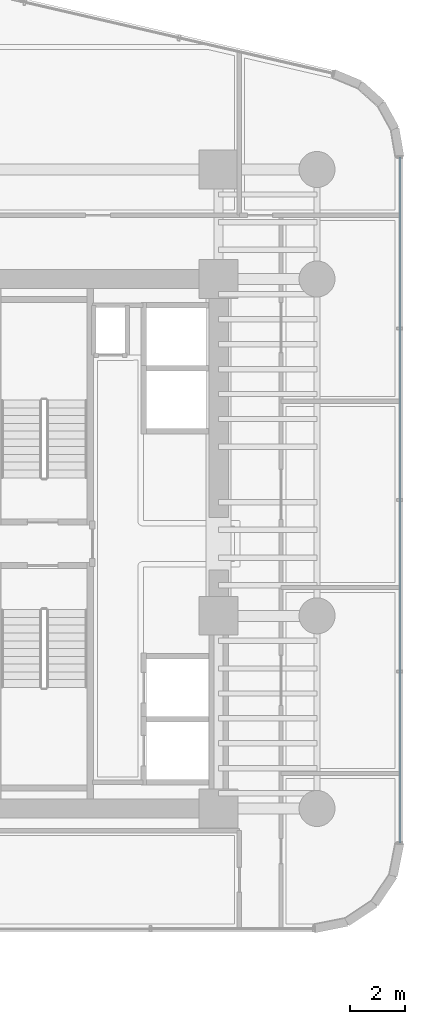
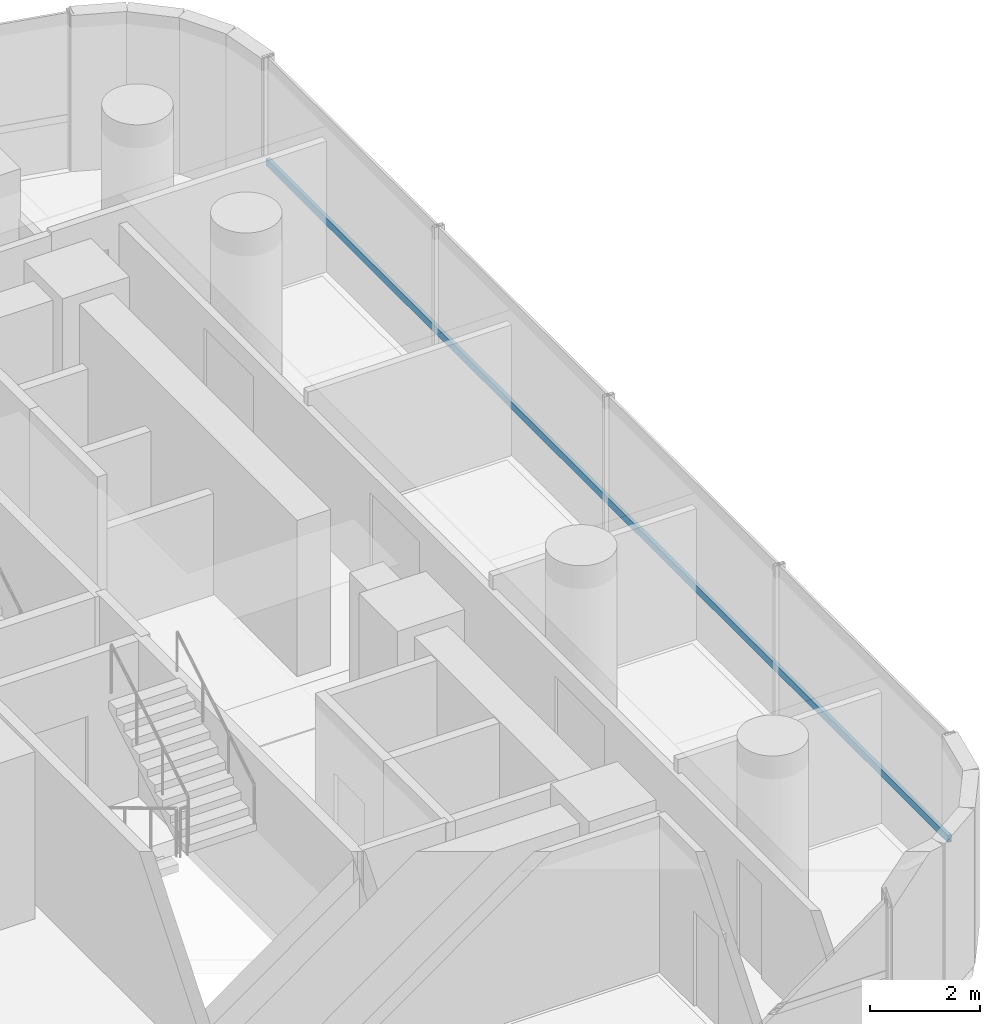
# One storey, part 27 of 41: 1 member, 1 element without a shape of its own.
"""IFC4 building model written with IfcOpenShell, lengths in metres."""

from ifc_helpers import new_model, si_unit, direction, frame, origin, origin_2d, place, context, subcontext, project, spatial, hollow_rectangle, extrude, source, transform, mapped, material, material_profile, profile_set, type_object, element, aggregate, save


model = new_model("IFC4")

# Units and contexts
model_context = context("Model", 3, precision=1e-05, world=origin(), true_north=direction((0.0, 1.0)))
body_context = subcontext(model_context, "Body", "Model", "MODEL_VIEW")
ifc_project = project(units=[si_unit("LENGTHUNIT", "METRE"), si_unit("AREAUNIT", "SQUARE_METRE"), si_unit("VOLUMEUNIT", "CUBIC_METRE"), si_unit("PLANEANGLEUNIT", "RADIAN"), si_unit("MASSUNIT", "GRAM", prefix="KILO")], contexts=[model_context])

# Site, building, storey
site_placement = place(None, origin())
site = spatial("IfcSite", under=ifc_project, at=site_placement, CompositionType="ELEMENT")
building_placement = place(site_placement, origin())
building = spatial("IfcBuilding", under=site, at=building_placement, Name="Valdorenza Pilgrim Sanctuary Tower", CompositionType="ELEMENT")
storey_placement = place(building_placement, frame((0.0, 0.0, 85.199951171875)))
storey = spatial("IfcBuildingStorey", under=building, at=storey_placement, Name="L21", CompositionType="ELEMENT", Elevation=85.199951171875)

# Curtain wall, member
ifc_material_1 = material(Name="Curtain-wall IGU glazing", Category="glass")
curtain_wall_type = type_object("IfcCurtainWallType", Name="CW-SYS-03", PredefinedType="NOTDEFINED", material=ifc_material_1)
curtain_wall_placement = place(storey_placement, origin())
curtain_wall = element("IfcCurtainWall", 1, at=curtain_wall_placement, inside=storey, type_object=curtain_wall_type, Name="L21 Curtain Wall CW-L21-1-21", PredefinedType="NOTDEFINED")
ifc_material_2 = material(Name="Anodised aluminium AW-6060", Category="aluminium")
ifc_material_profile = material_profile(ifc_material_2, hollow_rectangle(XDim=0.074951171875, YDim=0.159912109375, WallThickness=0.00390625, at=origin_2d()), Name="ALU-T 160x75x4")
ifc_profile_set = profile_set([ifc_material_profile], Name="Anodised aluminium AW-6060")
member_type = type_object("IfcMemberType", Name="CW-TRN-03", PredefinedType="USERDEFINED", material=ifc_profile_set)
shared_shape = source(origin(), body_context, "Body", "SweptSolid", [
    extrude(hollow_rectangle(XDim=0.074951171875, YDim=0.159912109375, WallThickness=0.00390625, at=origin_2d()), origin(), (0.0, 0.0, 1.0), 24.734375),
])
member_placement = place(storey_placement, frame((31.389892578125, 13.945068359375, 1.1201171875), z_axis=(0.0, -1.0, 0.0), x_axis=(1.0, 0.0, 0.0)))
member = element("IfcMember", 2, at=member_placement, type_object=member_type, Name="CW-L21-1-21 Transom 1", ObjectType="TRANSOM", PredefinedType="USERDEFINED", context=body_context, shape_type="MappedRepresentation", body=[
    mapped(shared_shape, transform((0.0, 0.0, 0.0), x_axis=(1.0, 0.0, 0.0), y_axis=(0.0, 1.0, 0.0), z_axis=(0.0, 0.0, 1.0), scale=1.0)),
])
aggregate(curtain_wall, [member])

save(model, "model.ifc")
